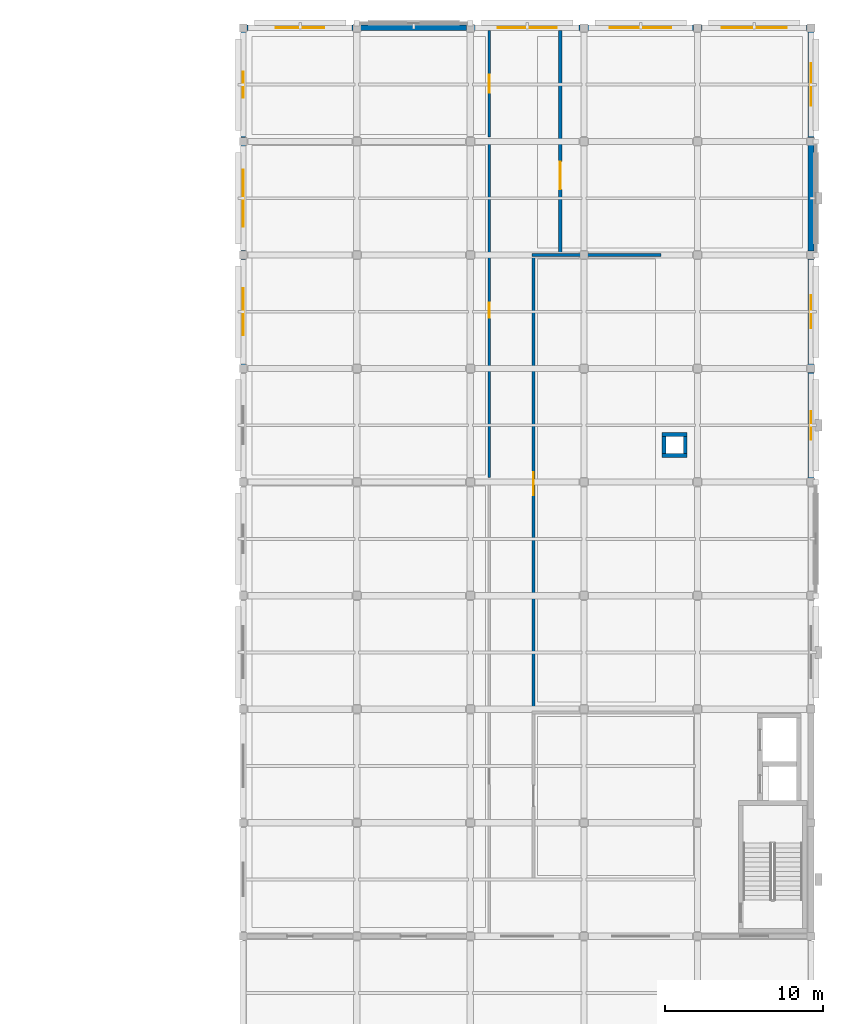
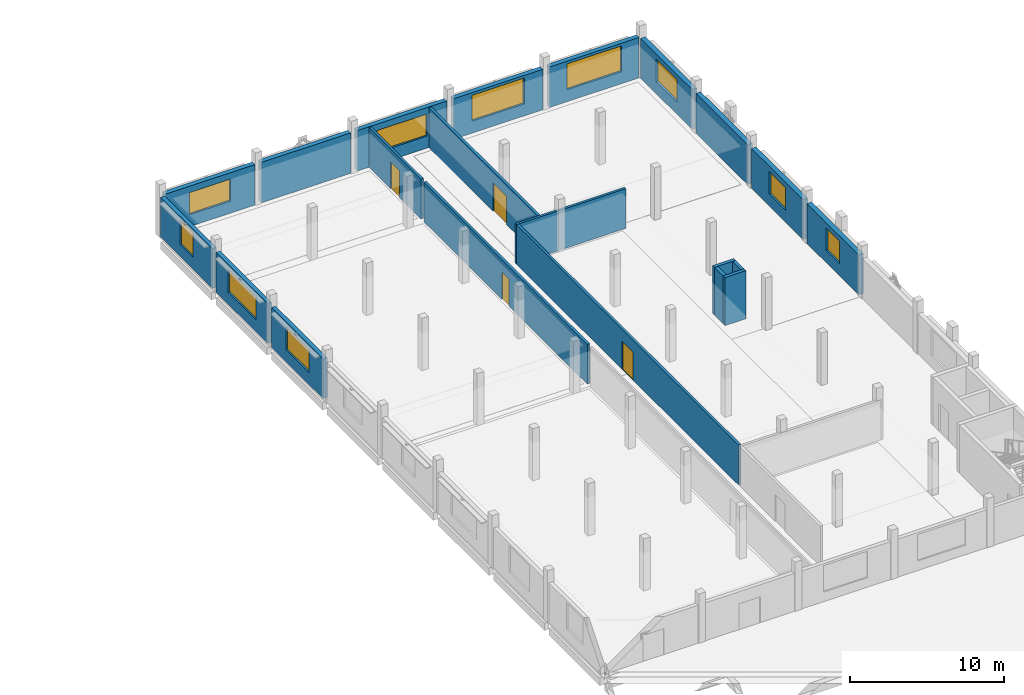
# One storey, part 23 of 33: 21 walls, 10 windows, 4 doors, 14 openings.
"""IFC4 building model written with IfcOpenShell, lengths in metres."""

from ifc_helpers import new_model, si_unit, direction, frame, frame_2d, origin, place, context, subcontext, project, spatial, rectangle, extrude, material, layer, layer_set, type_object, element, fill, save


model = new_model("IFC4")

# Units and contexts
model_context = context("Model", 3, precision=1e-05, world=origin(), true_north=direction((0.0, 1.0)))
body_context = subcontext(model_context, "Body", "Model", "MODEL_VIEW")
ifc_project = project(units=[si_unit("LENGTHUNIT", "METRE"), si_unit("AREAUNIT", "SQUARE_METRE"), si_unit("VOLUMEUNIT", "CUBIC_METRE"), si_unit("PLANEANGLEUNIT", "RADIAN"), si_unit("MASSUNIT", "GRAM", prefix="KILO")], contexts=[model_context])

# Site, building, storey
site_placement = place(None, origin())
site = spatial("IfcSite", under=ifc_project, at=site_placement, CompositionType="ELEMENT")
building_placement = place(site_placement, origin())
building = spatial("IfcBuilding", under=site, at=building_placement, Name="Valkovuoma Quantum and Materials Research Institute", CompositionType="ELEMENT")
storey_placement = place(building_placement, frame((0.0, 0.0, 21.43994140625)))
storey = spatial("IfcBuildingStorey", under=building, at=storey_placement, Name="L05", CompositionType="ELEMENT", Elevation=21.43994140625)

# Wall, opening, window
ifc_material_1 = material(Name="Precast concrete C40/50", Category="concrete")
ifc_layer_1 = layer(ifc_material_1, 0.300048828125)
ifc_layer_set_1 = layer_set([ifc_layer_1], Name="Precast concrete C40/50")
wall_type_1 = type_object("IfcWallType", Name="Wall-W-EXT300", PredefinedType="SOLIDWALL", material=ifc_layer_set_1)
wall_1_placement = place(storey_placement, frame((129.60009765625, 93.840087890625, 0.0), z_axis=(0.0, 0.0, 1.0), x_axis=(0.0, 1.0, 0.0)))
wall_1 = element("IfcWall", 1, at=wall_1_placement, inside=storey, type_object=wall_type_1, Name="L05 exterior wall 0351", PredefinedType="SOLIDWALL", context=body_context, shape_type="SweptSolid", body=[
    extrude(rectangle(XDim=6.719970703125, YDim=0.300048828125, at=frame_2d((3.35986328125, 0.0))), origin(), (0.0, 0.0, 1.0), 3.16015625),
])
opening_1_placement = place(wall_1_placement, frame((1.860107421875, 0.0, 0.949951171875)))
opening_1 = element("IfcOpeningElement", 2, at=opening_1_placement, cuts=wall_1, Name="Opening WN-WL12", PredefinedType="OPENING", context=body_context, shape_type="SweptSolid", body=[
    extrude(rectangle(XDim=3.0, YDim=1.800048828125, at=frame_2d((1.5, 0.89990234375))), frame((0.0, 0.16015625, 0.0), z_axis=(0.0, -1.0, 0.0), x_axis=(1.0, 0.0, 0.0)), (0.0, 0.0, 1.0), 0.320068359375),
])
ifc_material_2 = material(Name="Triple low-E argon glazing in thermally broken aluminium frame", Category="aluminium")
window_type_1 = type_object("IfcWindowType", Name="Win-WN-WL12", PartitioningType="SINGLE_PANEL", PredefinedType="WINDOW", material=ifc_material_2)
window_1_placement = place(opening_1_placement, origin())
window_1 = element("IfcWindow", 3, at=window_1_placement, inside=storey, type_object=window_type_1, Name="L05 window 0352", OverallHeight=1.800048828125, OverallWidth=3.0, PartitioningType="SINGLE_PANEL", PredefinedType="WINDOW", context=body_context, shape_type="SweptSolid", body=[
    extrude(rectangle(XDim=3.0, YDim=1.800048828125, at=frame_2d((1.5, 0.89990234375))), frame((0.0, 0.030029296875, 0.0), z_axis=(0.0, -1.0, 0.0), x_axis=(1.0, 0.0, 0.0)), (0.0, 0.0, 1.0), 0.06005859375),
])
fill(opening_1, window_1)

wall_2_placement = place(storey_placement, frame((129.60009765625, 101.0400390625, 0.0), z_axis=(0.0, 0.0, 1.0), x_axis=(0.0, 1.0, 0.0)))
wall_2 = element("IfcWall", 4, at=wall_2_placement, inside=storey, type_object=wall_type_1, Name="L05 exterior wall 0352", PredefinedType="SOLIDWALL", context=body_context, shape_type="SweptSolid", body=[
    extrude(rectangle(XDim=6.719970703125, YDim=0.300048828125, at=frame_2d((3.35986328125, 0.0))), origin(), (0.0, 0.0, 1.0), 3.16015625),
])
opening_2_placement = place(wall_2_placement, frame((1.56005859375, 0.0, 0.949951171875)))
opening_2 = element("IfcOpeningElement", 5, at=opening_2_placement, cuts=wall_2, Name="Opening WN-WL14", PredefinedType="OPENING", context=body_context, shape_type="SweptSolid", body=[
    extrude(rectangle(XDim=3.60009765625, YDim=1.800048828125, at=frame_2d((1.800048828125, 0.89990234375))), frame((0.0, 0.16015625, 0.0), z_axis=(0.0, -1.0, 0.0), x_axis=(1.0, 0.0, 0.0)), (0.0, 0.0, 1.0), 0.320068359375),
])
ifc_material_3 = material(Name="Triple low-E argon glazing in thermally broken aluminium frame", Category="aluminium")
window_type_2 = type_object("IfcWindowType", Name="Win-WN-WL14", PartitioningType="SINGLE_PANEL", PredefinedType="WINDOW", material=ifc_material_3)
window_2_placement = place(opening_2_placement, origin())
window_2 = element("IfcWindow", 6, at=window_2_placement, inside=storey, type_object=window_type_2, Name="L05 window 0353", OverallHeight=1.800048828125, OverallWidth=3.60009765625, PartitioningType="SINGLE_PANEL", PredefinedType="WINDOW", context=body_context, shape_type="SweptSolid", body=[
    extrude(rectangle(XDim=3.60009765625, YDim=1.800048828125, at=frame_2d((1.800048828125, 0.89990234375))), frame((0.0, 0.030029296875, 0.0), z_axis=(0.0, -1.0, 0.0), x_axis=(1.0, 0.0, 0.0)), (0.0, 0.0, 1.0), 0.06005859375),
])
fill(opening_2, window_2)

wall_3_placement = place(storey_placement, frame((129.60009765625, 108.239990234375, 0.0), z_axis=(0.0, 0.0, 1.0), x_axis=(0.0, 1.0, 0.0)))
wall_3 = element("IfcWall", 7, at=wall_3_placement, inside=storey, type_object=wall_type_1, Name="L05 exterior wall 0353", PredefinedType="SOLIDWALL", context=body_context, shape_type="SweptSolid", body=[
    extrude(rectangle(XDim=6.719970703125, YDim=0.300048828125, at=frame_2d((3.35986328125, 0.0))), origin(), (0.0, 0.0, 1.0), 3.16015625),
])
opening_3_placement = place(wall_3_placement, frame((2.534912109375, 0.0, 0.949951171875)))
opening_3 = element("IfcOpeningElement", 8, at=opening_3_placement, cuts=wall_3, Name="Opening WN-WL16", PredefinedType="OPENING", context=body_context, shape_type="SweptSolid", body=[
    extrude(rectangle(XDim=1.64990234375, YDim=1.949951171875, at=frame_2d((0.824951171875, 0.97509765625))), frame((0.0, 0.16015625, 0.0), z_axis=(0.0, -1.0, 0.0), x_axis=(1.0, 0.0, 0.0)), (0.0, 0.0, 1.0), 0.320068359375),
])
ifc_material_4 = material(Name="Triple low-E argon glazing in thermally broken aluminium frame", Category="aluminium")
window_type_3 = type_object("IfcWindowType", Name="Win-WN-WL16", PartitioningType="SINGLE_PANEL", PredefinedType="WINDOW", material=ifc_material_4)
window_3_placement = place(opening_3_placement, origin())
window_3 = element("IfcWindow", 9, at=window_3_placement, inside=storey, type_object=window_type_3, Name="L05 window 0354", OverallHeight=1.949951171875, OverallWidth=1.64990234375, PartitioningType="SINGLE_PANEL", PredefinedType="WINDOW", context=body_context, shape_type="SweptSolid", body=[
    extrude(rectangle(XDim=1.64990234375, YDim=1.949951171875, at=frame_2d((0.824951171875, 0.97509765625))), frame((0.0, 0.030029296875, 0.0), z_axis=(0.0, -1.0, 0.0), x_axis=(1.0, 0.0, 0.0)), (0.0, 0.0, 1.0), 0.06005859375),
])
fill(opening_3, window_3)

ifc_material_5 = material(Name="Precast concrete C40/50", Category="concrete")
ifc_layer_2 = layer(ifc_material_5, 0.340087890625)
ifc_layer_set_2 = layer_set([ifc_layer_2], Name="Precast concrete C40/50")
wall_type_2 = type_object("IfcWallType", Name="Wall-W-EXT340", PredefinedType="SOLIDWALL", material=ifc_layer_set_2)
wall_4_placement = place(storey_placement, frame((129.840087890625, 115.199951171875, 0.0), z_axis=(0.0, 0.0, 1.0), x_axis=(1.0, 0.0, 0.0)))
wall_4 = element("IfcWall", 10, at=wall_4_placement, inside=storey, type_object=wall_type_2, Name="L05 exterior wall 0341", PredefinedType="SOLIDWALL", context=body_context, shape_type="SweptSolid", body=[
    extrude(rectangle(XDim=6.719970703125, YDim=0.340087890625, at=frame_2d((3.35986328125, 0.0))), origin(), (0.0, 0.0, 1.0), 3.2099609375),
])
opening_4_placement = place(wall_4_placement, frame((1.81005859375, 0.0, 0.949951171875)))
opening_4 = element("IfcOpeningElement", 11, at=opening_4_placement, cuts=wall_4, Name="Opening WN-EX18", PredefinedType="OPENING", context=body_context, shape_type="SweptSolid", body=[
    extrude(rectangle(XDim=3.10009765625, YDim=1.75, at=frame_2d((1.550048828125, 0.875))), frame((0.0, 0.18017578125, 0.0), z_axis=(0.0, -1.0, 0.0), x_axis=(1.0, 0.0, 0.0)), (0.0, 0.0, 1.0), 0.360107421875),
])
ifc_material_6 = material(Name="Triple low-E argon glazing in thermally broken aluminium frame", Category="aluminium")
window_type_4 = type_object("IfcWindowType", Name="Win-WN-EX18", PartitioningType="SINGLE_PANEL", PredefinedType="WINDOW", material=ifc_material_6)
window_4_placement = place(opening_4_placement, origin())
window_4 = element("IfcWindow", 12, at=window_4_placement, inside=storey, type_object=window_type_4, Name="L05 window 0343", OverallHeight=1.75, OverallWidth=3.10009765625, PartitioningType="SINGLE_PANEL", PredefinedType="WINDOW", context=body_context, shape_type="SweptSolid", body=[
    extrude(rectangle(XDim=3.10009765625, YDim=1.75, at=frame_2d((1.550048828125, 0.875))), frame((0.0, 0.030029296875, 0.0), z_axis=(0.0, -1.0, 0.0), x_axis=(1.0, 0.0, 0.0)), (0.0, 0.0, 1.0), 0.06005859375),
])
fill(opening_4, window_4)

# Wall
wall_5_placement = place(storey_placement, frame((137.0400390625, 115.199951171875, 0.0), z_axis=(0.0, 0.0, 1.0), x_axis=(1.0, 0.0, 0.0)))
element("IfcWall", 13, at=wall_5_placement, inside=storey, type_object=wall_type_2, Name="L05 exterior wall 0342", PredefinedType="SOLIDWALL", context=body_context, shape_type="SweptSolid", body=[
    extrude(rectangle(XDim=6.719970703125, YDim=0.340087890625, at=frame_2d((3.35986328125, 0.0))), origin(), (0.0, 0.0, 1.0), 3.2099609375),
])

# Wall, opening, window
wall_6_placement = place(storey_placement, frame((144.239990234375, 115.199951171875, 0.0), z_axis=(0.0, 0.0, 1.0), x_axis=(1.0, 0.0, 0.0)))
wall_6 = element("IfcWall", 14, at=wall_6_placement, inside=storey, type_object=wall_type_2, Name="L05 exterior wall 0343", PredefinedType="SOLIDWALL", context=body_context, shape_type="SweptSolid", body=[
    extrude(rectangle(XDim=6.719970703125, YDim=0.340087890625, at=frame_2d((3.35986328125, 0.0))), origin(), (0.0, 0.0, 1.0), 3.2099609375),
])
opening_5_placement = place(wall_6_placement, frame((1.485107421875, 0.0, 0.949951171875)))
opening_5 = element("IfcOpeningElement", 15, at=opening_5_placement, cuts=wall_6, Name="Opening WN-EX20", PredefinedType="OPENING", context=body_context, shape_type="SweptSolid", body=[
    extrude(rectangle(XDim=3.75, YDim=1.75, at=frame_2d((1.875, 0.875))), frame((0.0, 0.18017578125, 0.0), z_axis=(0.0, -1.0, 0.0), x_axis=(1.0, 0.0, 0.0)), (0.0, 0.0, 1.0), 0.360107421875),
])
ifc_material_7 = material(Name="Triple low-E argon glazing in thermally broken aluminium frame", Category="aluminium")
window_type_5 = type_object("IfcWindowType", Name="Win-WN-EX20", PartitioningType="SINGLE_PANEL", PredefinedType="WINDOW", material=ifc_material_7)
window_5_placement = place(opening_5_placement, origin())
window_5 = element("IfcWindow", 16, at=window_5_placement, inside=storey, type_object=window_type_5, Name="L05 window 0344", OverallHeight=1.75, OverallWidth=3.75, PartitioningType="SINGLE_PANEL", PredefinedType="WINDOW", context=body_context, shape_type="SweptSolid", body=[
    extrude(rectangle(XDim=3.75, YDim=1.75, at=frame_2d((1.875, 0.875))), frame((0.0, 0.030029296875, 0.0), z_axis=(0.0, -1.0, 0.0), x_axis=(1.0, 0.0, 0.0)), (0.0, 0.0, 1.0), 0.06005859375),
])
fill(opening_5, window_5)

wall_7_placement = place(storey_placement, frame((151.43994140625, 115.199951171875, 0.0), z_axis=(0.0, 0.0, 1.0), x_axis=(1.0, 0.0, 0.0)))
wall_7 = element("IfcWall", 17, at=wall_7_placement, inside=storey, type_object=wall_type_2, Name="L05 exterior wall 0344", PredefinedType="SOLIDWALL", context=body_context, shape_type="SweptSolid", body=[
    extrude(rectangle(XDim=6.719970703125, YDim=0.340087890625, at=frame_2d((3.35986328125, 0.0))), origin(), (0.0, 0.0, 1.0), 3.2099609375),
])
opening_6_placement = place(wall_7_placement, frame((1.409912109375, 0.0, 0.949951171875)))
opening_6 = element("IfcOpeningElement", 18, at=opening_6_placement, cuts=wall_7, Name="Opening WN-EX21", PredefinedType="OPENING", context=body_context, shape_type="SweptSolid", body=[
    extrude(rectangle(XDim=3.89990234375, YDim=2.050048828125, at=frame_2d((1.949951171875, 1.02490234375))), frame((0.0, 0.18017578125, 0.0), z_axis=(0.0, -1.0, 0.0), x_axis=(1.0, 0.0, 0.0)), (0.0, 0.0, 1.0), 0.360107421875),
])
ifc_material_8 = material(Name="Triple low-E argon glazing in thermally broken aluminium frame", Category="aluminium")
window_type_6 = type_object("IfcWindowType", Name="Win-WN-EX21", PartitioningType="SINGLE_PANEL", PredefinedType="WINDOW", material=ifc_material_8)
window_6_placement = place(opening_6_placement, origin())
window_6 = element("IfcWindow", 19, at=window_6_placement, inside=storey, type_object=window_type_6, Name="L05 window 0345", OverallHeight=2.050048828125, OverallWidth=3.89990234375, PartitioningType="SINGLE_PANEL", PredefinedType="WINDOW", context=body_context, shape_type="SweptSolid", body=[
    extrude(rectangle(XDim=3.89990234375, YDim=2.050048828125, at=frame_2d((1.949951171875, 1.02490234375))), frame((0.0, 0.030029296875, 0.0), z_axis=(0.0, -1.0, 0.0), x_axis=(1.0, 0.0, 0.0)), (0.0, 0.0, 1.0), 0.06005859375),
])
fill(opening_6, window_6)

wall_8_placement = place(storey_placement, frame((158.639892578125, 115.199951171875, 0.0), z_axis=(0.0, 0.0, 1.0), x_axis=(1.0, 0.0, 0.0)))
wall_8 = element("IfcWall", 20, at=wall_8_placement, inside=storey, type_object=wall_type_2, Name="L05 exterior wall 0345", PredefinedType="SOLIDWALL", context=body_context, shape_type="SweptSolid", body=[
    extrude(rectangle(XDim=6.72021484375, YDim=0.340087890625, at=frame_2d((3.360107421875, 0.0))), origin(), (0.0, 0.0, 1.0), 3.2099609375),
])
opening_7_placement = place(wall_8_placement, frame((1.31005859375, 0.0, 0.949951171875)))
opening_7 = element("IfcOpeningElement", 21, at=opening_7_placement, cuts=wall_8, Name="Opening WN-EX22", PredefinedType="OPENING", context=body_context, shape_type="SweptSolid", body=[
    extrude(rectangle(XDim=4.10009765625, YDim=2.050048828125, at=frame_2d((2.050048828125, 1.02490234375))), frame((0.0, 0.18017578125, 0.0), z_axis=(0.0, -1.0, 0.0), x_axis=(1.0, 0.0, 0.0)), (0.0, 0.0, 1.0), 0.360107421875),
])
ifc_material_9 = material(Name="Triple low-E argon glazing in thermally broken aluminium frame", Category="aluminium")
window_type_7 = type_object("IfcWindowType", Name="Win-WN-EX22", PartitioningType="SINGLE_PANEL", PredefinedType="WINDOW", material=ifc_material_9)
window_7_placement = place(opening_7_placement, origin())
window_7 = element("IfcWindow", 22, at=window_7_placement, inside=storey, type_object=window_type_7, Name="L05 window 0346", OverallHeight=2.050048828125, OverallWidth=4.10009765625, PartitioningType="SINGLE_PANEL", PredefinedType="WINDOW", context=body_context, shape_type="SweptSolid", body=[
    extrude(rectangle(XDim=4.10009765625, YDim=2.050048828125, at=frame_2d((2.050048828125, 1.02490234375))), frame((0.0, 0.030029296875, 0.0), z_axis=(0.0, -1.0, 0.0), x_axis=(1.0, 0.0, 0.0)), (0.0, 0.0, 1.0), 0.06005859375),
])
fill(opening_7, window_7)

ifc_material_10 = material(Name="Precast concrete C40/50", Category="concrete")
ifc_layer_3 = layer(ifc_material_10, 0.360107421875)
ifc_layer_set_3 = layer_set([ifc_layer_3], Name="Precast concrete C40/50")
wall_type_3 = type_object("IfcWallType", Name="Wall-W-EXT360", PredefinedType="SOLIDWALL", material=ifc_layer_set_3)
wall_9_placement = place(storey_placement, frame((165.60009765625, 86.639892578125, 0.0), z_axis=(0.0, 0.0, 1.0), x_axis=(0.0, 1.0, 0.0)))
wall_9 = element("IfcWall", 23, at=wall_9_placement, inside=storey, type_object=wall_type_3, Name="L05 exterior wall 0337", PredefinedType="SOLIDWALL", context=body_context, shape_type="SweptSolid", body=[
    extrude(rectangle(XDim=6.72021484375, YDim=0.360107421875, at=frame_2d((3.360107421875, 0.0))), origin(), (0.0, 0.0, 1.0), 3.16015625),
])
opening_8_placement = place(wall_9_placement, frame((2.4599609375, 0.0, 0.949951171875)))
opening_8 = element("IfcOpeningElement", 24, at=opening_8_placement, cuts=wall_9, Name="Opening WN-WL08", PredefinedType="OPENING", context=body_context, shape_type="SweptSolid", body=[
    extrude(rectangle(XDim=1.800048828125, YDim=1.800048828125, at=frame_2d((0.89990234375, 0.89990234375))), frame((0.0, 0.18994140625, 0.0), z_axis=(0.0, -1.0, 0.0), x_axis=(1.0, 0.0, 0.0)), (0.0, 0.0, 1.0), 0.380126953125),
])
ifc_material_11 = material(Name="Triple low-E argon glazing in thermally broken aluminium frame", Category="aluminium")
window_type_8 = type_object("IfcWindowType", Name="Win-WN-WL08", PartitioningType="SINGLE_PANEL", PredefinedType="WINDOW", material=ifc_material_11)
window_8_placement = place(opening_8_placement, origin())
window_8 = element("IfcWindow", 25, at=window_8_placement, inside=storey, type_object=window_type_8, Name="L05 window 0340", OverallHeight=1.800048828125, OverallWidth=1.800048828125, PartitioningType="SINGLE_PANEL", PredefinedType="WINDOW", context=body_context, shape_type="SweptSolid", body=[
    extrude(rectangle(XDim=1.800048828125, YDim=1.800048828125, at=frame_2d((0.89990234375, 0.89990234375))), frame((0.0, 0.030029296875, 0.0), z_axis=(0.0, -1.0, 0.0), x_axis=(1.0, 0.0, 0.0)), (0.0, 0.0, 1.0), 0.06005859375),
])
fill(opening_8, window_8)

wall_10_placement = place(storey_placement, frame((165.60009765625, 93.840087890625, 0.0), z_axis=(0.0, 0.0, 1.0), x_axis=(0.0, 1.0, 0.0)))
wall_10 = element("IfcWall", 26, at=wall_10_placement, inside=storey, type_object=wall_type_3, Name="L05 exterior wall 0338", PredefinedType="SOLIDWALL", context=body_context, shape_type="SweptSolid", body=[
    extrude(rectangle(XDim=6.719970703125, YDim=0.360107421875, at=frame_2d((3.35986328125, 0.0))), origin(), (0.0, 0.0, 1.0), 3.16015625),
])
opening_9_placement = place(wall_10_placement, frame((2.31005859375, 0.0, 0.949951171875)))
opening_9 = element("IfcOpeningElement", 27, at=opening_9_placement, cuts=wall_10, Name="Opening WN-WL09", PredefinedType="OPENING", context=body_context, shape_type="SweptSolid", body=[
    extrude(rectangle(XDim=2.10009765625, YDim=1.800048828125, at=frame_2d((1.050048828125, 0.89990234375))), frame((0.0, 0.18994140625, 0.0), z_axis=(0.0, -1.0, 0.0), x_axis=(1.0, 0.0, 0.0)), (0.0, 0.0, 1.0), 0.380126953125),
])
ifc_material_12 = material(Name="Triple low-E argon glazing in thermally broken aluminium frame", Category="aluminium")
window_type_9 = type_object("IfcWindowType", Name="Win-WN-WL09", PartitioningType="SINGLE_PANEL", PredefinedType="WINDOW", material=ifc_material_12)
window_9_placement = place(opening_9_placement, origin())
window_9 = element("IfcWindow", 28, at=window_9_placement, inside=storey, type_object=window_type_9, Name="L05 window 0341", OverallHeight=1.800048828125, OverallWidth=2.10009765625, PartitioningType="SINGLE_PANEL", PredefinedType="WINDOW", context=body_context, shape_type="SweptSolid", body=[
    extrude(rectangle(XDim=2.10009765625, YDim=1.800048828125, at=frame_2d((1.050048828125, 0.89990234375))), frame((0.0, 0.030029296875, 0.0), z_axis=(0.0, -1.0, 0.0), x_axis=(1.0, 0.0, 0.0)), (0.0, 0.0, 1.0), 0.06005859375),
])
fill(opening_9, window_9)

# Wall
wall_11_placement = place(storey_placement, frame((165.60009765625, 101.0400390625, 0.0), z_axis=(0.0, 0.0, 1.0), x_axis=(0.0, 1.0, 0.0)))
element("IfcWall", 29, at=wall_11_placement, inside=storey, type_object=wall_type_3, Name="L05 exterior wall 0339", PredefinedType="SOLIDWALL", context=body_context, shape_type="SweptSolid", body=[
    extrude(rectangle(XDim=6.719970703125, YDim=0.360107421875, at=frame_2d((3.35986328125, 0.0))), origin(), (0.0, 0.0, 1.0), 3.16015625),
])

# Wall, opening, window
wall_12_placement = place(storey_placement, frame((165.60009765625, 108.239990234375, 0.0), z_axis=(0.0, 0.0, 1.0), x_axis=(0.0, 1.0, 0.0)))
wall_12 = element("IfcWall", 30, at=wall_12_placement, inside=storey, type_object=wall_type_3, Name="L05 exterior wall 0340", PredefinedType="SOLIDWALL", context=body_context, shape_type="SweptSolid", body=[
    extrude(rectangle(XDim=6.719970703125, YDim=0.360107421875, at=frame_2d((3.35986328125, 0.0))), origin(), (0.0, 0.0, 1.0), 3.16015625),
])
opening_10_placement = place(wall_12_placement, frame((2.010009765625, 0.0, 0.949951171875)))
opening_10 = element("IfcOpeningElement", 31, at=opening_10_placement, cuts=wall_12, Name="Opening WN-WL11", PredefinedType="OPENING", context=body_context, shape_type="SweptSolid", body=[
    extrude(rectangle(XDim=2.699951171875, YDim=1.800048828125, at=frame_2d((1.35009765625, 0.89990234375))), frame((0.0, 0.18994140625, 0.0), z_axis=(0.0, -1.0, 0.0), x_axis=(1.0, 0.0, 0.0)), (0.0, 0.0, 1.0), 0.380126953125),
])
ifc_material_13 = material(Name="Triple low-E argon glazing in thermally broken aluminium frame", Category="aluminium")
window_type_10 = type_object("IfcWindowType", Name="Win-WN-WL11", PartitioningType="SINGLE_PANEL", PredefinedType="WINDOW", material=ifc_material_13)
window_10_placement = place(opening_10_placement, origin())
window_10 = element("IfcWindow", 32, at=window_10_placement, inside=storey, type_object=window_type_10, Name="L05 window 0342", OverallHeight=1.800048828125, OverallWidth=2.699951171875, PartitioningType="SINGLE_PANEL", PredefinedType="WINDOW", context=body_context, shape_type="SweptSolid", body=[
    extrude(rectangle(XDim=2.699951171875, YDim=1.800048828125, at=frame_2d((1.35009765625, 0.89990234375))), frame((0.0, 0.030029296875, 0.0), z_axis=(0.0, -1.0, 0.0), x_axis=(1.0, 0.0, 0.0)), (0.0, 0.0, 1.0), 0.06005859375),
])
fill(opening_10, window_10)

# Wall, opening, door
ifc_material_14 = material(Name="Laboratory fire-rated gypsum partition", Category="masonry")
ifc_layer_4 = layer(ifc_material_14, 0.179931640625)
ifc_layer_set_4 = layer_set([ifc_layer_4], Name="Laboratory fire-rated gypsum partition")
wall_type_4 = type_object("IfcWallType", Name="Wall-W-PRT180", PredefinedType="PARTITIONING", material=ifc_layer_set_4)
wall_13_placement = place(storey_placement, frame((145.199951171875, 86.68994140625, 0.0), z_axis=(0.0, 0.0, 1.0), x_axis=(0.0, 1.0, 0.0)))
wall_13 = element("IfcWall", 33, at=wall_13_placement, inside=storey, type_object=wall_type_4, Name="L05 partition 0217", PredefinedType="PARTITIONING", context=body_context, shape_type="SweptSolid", body=[
    extrude(rectangle(XDim=21.219970703125, YDim=0.179931640625, at=frame_2d((10.60986328125, 0.0))), origin(), (0.0, 0.0, 1.0), 3.16015625),
])
opening_11_placement = place(wall_13_placement, frame((10.1298828125, 0.0, 0.0)))
opening_11 = element("IfcOpeningElement", 34, at=opening_11_placement, cuts=wall_13, Name="Opening ID-0156", PredefinedType="OPENING", context=body_context, shape_type="SweptSolid", body=[
    extrude(rectangle(XDim=0.9599609375, YDim=2.14990234375, at=frame_2d((0.47998046875, 1.074951171875))), frame((0.0, 0.10009765625, 0.0), z_axis=(0.0, -1.0, 0.0), x_axis=(1.0, 0.0, 0.0)), (0.0, 0.0, 1.0), 0.199951171875),
])
ifc_material_15 = material(Name="Powder-coated steel and acoustic timber door assembly", Category="steel")
door_type_1 = type_object("IfcDoorType", Name="Door-DR-OF06", OperationType="NOTDEFINED", PredefinedType="DOOR", material=ifc_material_15)
door_1_placement = place(opening_11_placement, origin())
door_1 = element("IfcDoor", 35, at=door_1_placement, inside=storey, type_object=door_type_1, Name="L05 room door 0156", OperationType="SINGLE_SWING_LEFT", OverallHeight=2.14990234375, OverallWidth=0.9599609375, PredefinedType="DOOR", context=body_context, shape_type="SweptSolid", body=[
    extrude(rectangle(XDim=0.9599609375, YDim=2.14990234375, at=frame_2d((0.47998046875, 1.074951171875))), frame((0.0, 0.02490234375, 0.0), z_axis=(0.0, -1.0, 0.0), x_axis=(1.0, 0.0, 0.0)), (0.0, 0.0, 1.0), 0.050048828125),
])
fill(opening_11, door_1)

wall_14_placement = place(storey_placement, frame((145.199951171875, 108.2900390625, 0.0), z_axis=(0.0, 0.0, 1.0), x_axis=(0.0, 1.0, 0.0)))
wall_14 = element("IfcWall", 36, at=wall_14_placement, inside=storey, type_object=wall_type_4, Name="L05 partition 0218", PredefinedType="PARTITIONING", context=body_context, shape_type="SweptSolid", body=[
    extrude(rectangle(XDim=6.739990234375, YDim=0.179931640625, at=frame_2d((3.3701171875, 0.0))), origin(), (0.0, 0.0, 1.0), 3.16015625),
])
opening_12_placement = place(wall_14_placement, frame((2.794921875, 0.0, 0.0)))
opening_12 = element("IfcOpeningElement", 37, at=opening_12_placement, cuts=wall_14, Name="Opening ID-0157", PredefinedType="OPENING", context=body_context, shape_type="SweptSolid", body=[
    extrude(rectangle(XDim=1.14990234375, YDim=2.14990234375, at=frame_2d((0.574951171875, 1.074951171875))), frame((0.0, 0.10009765625, 0.0), z_axis=(0.0, -1.0, 0.0), x_axis=(1.0, 0.0, 0.0)), (0.0, 0.0, 1.0), 0.199951171875),
])
ifc_material_16 = material(Name="Powder-coated steel and acoustic timber door assembly", Category="steel")
door_type_2 = type_object("IfcDoorType", Name="Door-DR-SM01", OperationType="NOTDEFINED", PredefinedType="DOOR", material=ifc_material_16)
door_2_placement = place(opening_12_placement, origin())
door_2 = element("IfcDoor", 38, at=door_2_placement, inside=storey, type_object=door_type_2, Name="L05 room door 0157", OperationType="SINGLE_SWING_RIGHT", OverallHeight=2.14990234375, OverallWidth=1.14990234375, PredefinedType="DOOR", context=body_context, shape_type="SweptSolid", body=[
    extrude(rectangle(XDim=1.14990234375, YDim=2.14990234375, at=frame_2d((0.574951171875, 1.074951171875))), frame((0.0, 0.02490234375, 0.0), z_axis=(0.0, -1.0, 0.0), x_axis=(1.0, 0.0, 0.0)), (0.0, 0.0, 1.0), 0.050048828125),
])
fill(opening_12, door_2)

# Wall
wall_15_placement = place(storey_placement, frame((147.909912109375, 100.800048828125, 0.0), z_axis=(0.0, 0.0, 1.0), x_axis=(1.0, 0.0, 0.0)))
element("IfcWall", 39, at=wall_15_placement, inside=storey, type_object=wall_type_4, Name="L05 partition 0221", PredefinedType="PARTITIONING", context=body_context, shape_type="SweptSolid", body=[
    extrude(rectangle(XDim=8.18017578125, YDim=0.179931640625, at=frame_2d((4.090087890625, 0.0))), origin(), (0.0, 0.0, 1.0), 3.16015625),
])

# Wall, opening, door
wall_16_placement = place(storey_placement, frame((148.0, 71.889892578125, 0.0), z_axis=(0.0, 0.0, 1.0), x_axis=(0.0, 1.0, 0.0)))
wall_16 = element("IfcWall", 40, at=wall_16_placement, inside=storey, type_object=wall_type_4, Name="L05 partition 0222", PredefinedType="PARTITIONING", context=body_context, shape_type="SweptSolid", body=[
    extrude(rectangle(XDim=28.820068359375, YDim=0.179931640625, at=frame_2d((14.41015625, 0.0))), origin(), (0.0, 0.0, 1.0), 3.16015625),
])
opening_13_placement = place(wall_16_placement, frame((13.68505859375, 0.0, 0.0)))
opening_13 = element("IfcOpeningElement", 41, at=opening_13_placement, cuts=wall_16, Name="Opening ID-0159", PredefinedType="OPENING", context=body_context, shape_type="SweptSolid", body=[
    extrude(rectangle(XDim=1.449951171875, YDim=2.199951171875, at=frame_2d((0.72509765625, 1.10009765625))), frame((0.0, 0.10009765625, 0.0), z_axis=(0.0, -1.0, 0.0), x_axis=(1.0, 0.0, 0.0)), (0.0, 0.0, 1.0), 0.199951171875),
])
ifc_material_17 = material(Name="Powder-coated steel and acoustic timber door assembly", Category="steel")
door_type_3 = type_object("IfcDoorType", Name="Door-DR-SM03", OperationType="NOTDEFINED", PredefinedType="DOOR", material=ifc_material_17)
door_3_placement = place(opening_13_placement, origin())
door_3 = element("IfcDoor", 42, at=door_3_placement, inside=storey, type_object=door_type_3, Name="L05 room door 0159", OperationType="SINGLE_SWING_RIGHT", OverallHeight=2.199951171875, OverallWidth=1.449951171875, PredefinedType="DOOR", context=body_context, shape_type="SweptSolid", body=[
    extrude(rectangle(XDim=1.449951171875, YDim=2.199951171875, at=frame_2d((0.72509765625, 1.10009765625))), frame((0.0, 0.02490234375, 0.0), z_axis=(0.0, -1.0, 0.0), x_axis=(1.0, 0.0, 0.0)), (0.0, 0.0, 1.0), 0.050048828125),
])
fill(opening_13, door_3)

ifc_material_18 = material(Name="Acoustic double-stud gypsum and mineral wool partition", Category="masonry")
ifc_layer_5 = layer(ifc_material_18, 0.199951171875)
ifc_layer_set_5 = layer_set([ifc_layer_5], Name="Acoustic double-stud gypsum and mineral wool partition")
wall_type_5 = type_object("IfcWallType", Name="Wall-W-PRT200", PredefinedType="PARTITIONING", material=ifc_layer_set_5)
wall_17_placement = place(storey_placement, frame((149.695068359375, 100.889892578125, 0.0), z_axis=(0.0, 0.0, 1.0), x_axis=(0.0, 1.0, 0.0)))
wall_17 = element("IfcWall", 43, at=wall_17_placement, inside=storey, type_object=wall_type_5, Name="L05 partition 0223", PredefinedType="PARTITIONING", context=body_context, shape_type="SweptSolid", body=[
    extrude(rectangle(XDim=14.14013671875, YDim=0.199951171875, at=frame_2d((7.070068359375, 0.0))), origin(), (0.0, 0.0, 1.0), 3.16015625),
])
opening_14_placement = place(wall_17_placement, frame((4.073974609375, 0.0, 0.0)))
opening_14 = element("IfcOpeningElement", 44, at=opening_14_placement, cuts=wall_17, Name="Opening ID-0160", PredefinedType="OPENING", context=body_context, shape_type="SweptSolid", body=[
    extrude(rectangle(XDim=1.75, YDim=2.25, at=frame_2d((0.875, 1.125))), frame((0.0, 0.10986328125, 0.0), z_axis=(0.0, -1.0, 0.0), x_axis=(1.0, 0.0, 0.0)), (0.0, 0.0, 1.0), 0.219970703125),
])
ifc_material_19 = material(Name="Powder-coated steel and acoustic timber door assembly", Category="steel")
door_type_4 = type_object("IfcDoorType", Name="Door-DR-SM04", OperationType="NOTDEFINED", PredefinedType="DOOR", material=ifc_material_19)
door_4_placement = place(opening_14_placement, origin())
door_4 = element("IfcDoor", 45, at=door_4_placement, inside=storey, type_object=door_type_4, Name="L05 room door 0160", OperationType="DOUBLE_DOOR_SINGLE_SWING", OverallHeight=2.25, OverallWidth=1.75, PredefinedType="DOOR", context=body_context, shape_type="SweptSolid", body=[
    extrude(rectangle(XDim=1.75, YDim=2.25, at=frame_2d((0.875, 1.125))), frame((0.0, 0.02490234375, 0.0), z_axis=(0.0, -1.0, 0.0), x_axis=(1.0, 0.0, 0.0)), (0.0, 0.0, 1.0), 0.050048828125),
])
fill(opening_14, door_4)

# Walls
ifc_material_20 = material(Name="Concrete C40/50", Category="concrete")
ifc_layer_6 = layer(ifc_material_20, 0.239990234375)
ifc_layer_set_6 = layer_set([ifc_layer_6], Name="Concrete C40/50")
wall_type_6 = type_object("IfcWallType", Name="Wall-W-SHF240", PredefinedType="SOLIDWALL", material=ifc_layer_set_6)
for number, where, z_axis, x_axis, name in (
    (46, (156.159912109375, 88.080078125, 0.0), (0.0, 0.0, 1.0), (1.0, 0.0, 0.0), "L05 core wall 0341"),
    (47, (156.159912109375, 89.419921875, 0.0), (0.0, 0.0, 1.0), (1.0, 0.0, 0.0), "L05 core wall 0342"),
):
    element("IfcWall", number, at=place(storey_placement, frame(where, z_axis=z_axis, x_axis=x_axis)), inside=storey, type_object=wall_type_6, Name=name, PredefinedType="SOLIDWALL", context=body_context, shape_type="SweptSolid", body=[
        extrude(rectangle(XDim=1.580078125, YDim=0.239990234375, at=frame_2d((0.7900390625, 0.0))), origin(), (0.0, 0.0, 1.0), 3.81005859375),
    ])
for number, where, z_axis, x_axis, name in (
    (48, (156.280029296875, 88.199951171875, 0.0), (0.0, 0.0, 1.0), (0.0, 1.0, 0.0), "L05 core wall 0343"),
    (49, (157.6201171875, 88.199951171875, 0.0), (0.0, 0.0, 1.0), (0.0, 1.0, 0.0), "L05 core wall 0344"),
):
    element("IfcWall", number, at=place(storey_placement, frame(where, z_axis=z_axis, x_axis=x_axis)), inside=storey, type_object=wall_type_6, Name=name, PredefinedType="SOLIDWALL", context=body_context, shape_type="SweptSolid", body=[
        extrude(rectangle(XDim=1.10009765625, YDim=0.239990234375, at=frame_2d((0.550048828125, 0.0))), origin(), (0.0, 0.0, 1.0), 3.81005859375),
    ])

save(model, "model.ifc")
